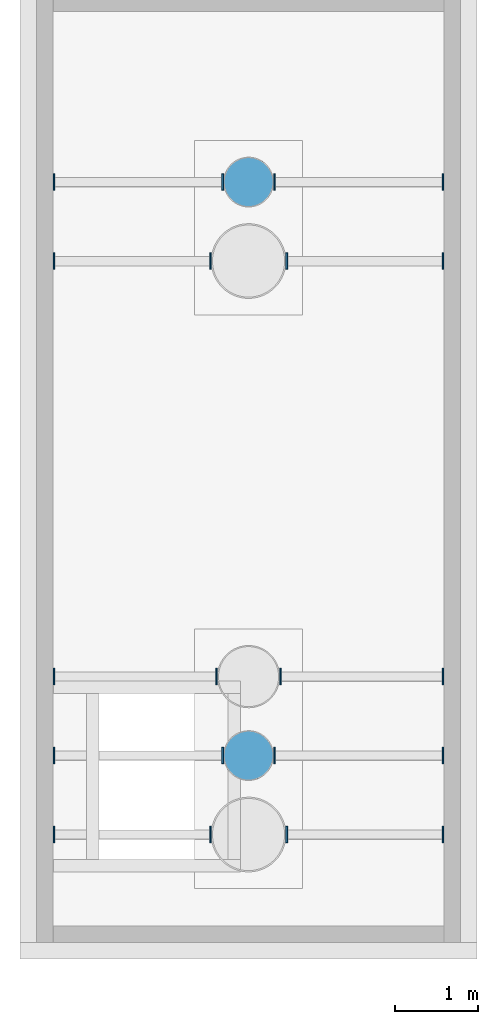
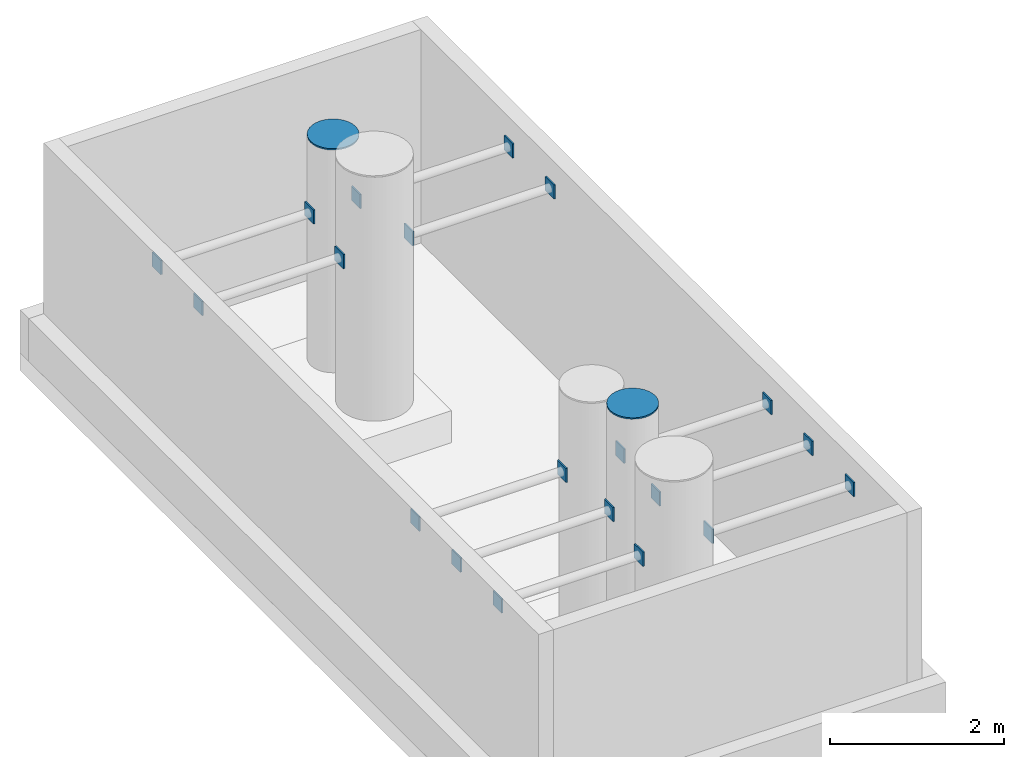
# One storey, part 7 of 7: 22 discrete accessories.
"""IFC4 building model written with IfcOpenShell, lengths in metres."""

from ifc_helpers import new_model, si_unit, direction, frame, origin, origin_2d, place, context, subcontext, project, spatial, polyline, rectangle, outline, extrude, material, type_object, element, save


model = new_model("IFC4")

# Units and contexts
model_context = context("Model", 3, precision=1e-05, world=origin(), true_north=direction((0.0, 1.0)))
body_context = subcontext(model_context, "Body", "Model", "MODEL_VIEW")
ifc_project = project(units=[si_unit("LENGTHUNIT", "METRE"), si_unit("AREAUNIT", "SQUARE_METRE"), si_unit("VOLUMEUNIT", "CUBIC_METRE"), si_unit("PLANEANGLEUNIT", "RADIAN"), si_unit("MASSUNIT", "GRAM", prefix="KILO")], contexts=[model_context])

# Site, building, storey
site_placement = place(None, origin())
site = spatial("IfcSite", under=ifc_project, at=site_placement, CompositionType="ELEMENT")
building_placement = place(site_placement, origin())
building = spatial("IfcBuilding", under=site, at=building_placement, Name="Basin Gate Institute", CompositionType="ELEMENT")
storey_placement = place(building_placement, frame((0.0, 0.0, 78.60009765625)))
storey = spatial("IfcBuildingStorey", under=building, at=storey_placement, Name="UPPER ROOF", CompositionType="ELEMENT", Elevation=78.60009765625)

# Discrete accessories
ifc_material_1 = material(Name="Structural steel SN490", Category="steel")
discrete_accessory_type_1 = type_object("IfcDiscreteAccessoryType", Name="Brace end plate BP200", PredefinedType="BRACKET", material=ifc_material_1)
for number, where, z_axis, x_axis, name in (
    (1, (62.989990234375, 90.10009765625, 2.75), (0.0, 0.0, 1.0), (1.0, 0.0, 0.0), "Exhaust pipe tie TD5 WN 1a end plate 1"),
    (2, (61.110107421875, 90.10009765625, 2.75), (0.0, 0.0, 1.0), (1.0, 0.0, 0.0), "Exhaust pipe tie TD5 WN 1a end plate 2"),
    (3, (63.909912109375, 90.10009765625, 2.75), (0.0, 0.0, 1.0), (1.0, 0.0, 0.0), "Exhaust pipe tie TD5 WN 1b end plate 1"),
    (4, (65.7900390625, 90.10009765625, 2.75), (0.0, 0.0, 1.0), (1.0, 0.0, 0.0), "Exhaust pipe tie TD5 WN 1b end plate 2"),
    (5, (63.139892578125, 91.050048828125, 2.75), (0.0, 0.0, 1.0), (1.0, 0.0, 0.0), "Exhaust pipe tie TD5 WN 2a end plate 1"),
    (6, (61.110107421875, 91.050048828125, 2.75), (0.0, 0.0, 1.0), (1.0, 0.0, 0.0), "Exhaust pipe tie TD5 WN 2a end plate 2"),
    (7, (63.760009765625, 91.050048828125, 2.75), (0.0, 0.0, 1.0), (1.0, 0.0, 0.0), "Exhaust pipe tie TD5 WN 2b end plate 1"),
    (8, (65.7900390625, 91.050048828125, 2.75), (0.0, 0.0, 1.0), (1.0, 0.0, 0.0), "Exhaust pipe tie TD5 WN 2b end plate 2"),
    (9, (63.06494140625, 92.0, 2.75), (0.0, 0.0, 1.0), (1.0, 0.0, 0.0), "Exhaust pipe tie TD5 WN 3a end plate 1"),
    (10, (61.110107421875, 92.0, 2.75), (0.0, 0.0, 1.0), (1.0, 0.0, 0.0), "Exhaust pipe tie TD5 WN 3a end plate 2"),
    (11, (63.8349609375, 92.0, 2.75), (0.0, 0.0, 1.0), (1.0, 0.0, 0.0), "Exhaust pipe tie TD5 WN 3b end plate 1"),
    (12, (65.7900390625, 92.0, 2.75), (0.0, 0.0, 1.0), (1.0, 0.0, 0.0), "Exhaust pipe tie TD5 WN 3b end plate 2"),
    (13, (62.989990234375, 97.0, 2.75), (0.0, 0.0, 1.0), (1.0, 0.0, 0.0), "Exhaust pipe tie TD5 WN 4a end plate 1"),
    (14, (61.110107421875, 97.0, 2.75), (0.0, 0.0, 1.0), (1.0, 0.0, 0.0), "Exhaust pipe tie TD5 WN 4a end plate 2"),
    (15, (63.909912109375, 97.0, 2.75), (0.0, 0.0, 1.0), (1.0, 0.0, 0.0), "Exhaust pipe tie TD5 WN 4b end plate 1"),
    (16, (65.7900390625, 97.0, 2.75), (0.0, 0.0, 1.0), (1.0, 0.0, 0.0), "Exhaust pipe tie TD5 WN 4b end plate 2"),
    (17, (63.139892578125, 97.949951171875, 2.75), (0.0, 0.0, 1.0), (1.0, 0.0, 0.0), "Exhaust pipe tie TD5 WN 5a end plate 1"),
    (18, (61.110107421875, 97.949951171875, 2.75), (0.0, 0.0, 1.0), (1.0, 0.0, 0.0), "Exhaust pipe tie TD5 WN 5a end plate 2"),
    (19, (63.760009765625, 97.949951171875, 2.75), (0.0, 0.0, 1.0), (1.0, 0.0, 0.0), "Exhaust pipe tie TD5 WN 5b end plate 1"),
    (20, (65.7900390625, 97.949951171875, 2.75), (0.0, 0.0, 1.0), (1.0, 0.0, 0.0), "Exhaust pipe tie TD5 WN 5b end plate 2"),
):
    element("IfcDiscreteAccessory", number, at=place(storey_placement, frame(where, z_axis=z_axis, x_axis=x_axis)), inside=storey, type_object=discrete_accessory_type_1, material=ifc_material_1, Name=name, PredefinedType="BRACKET", context=body_context, shape_type="SweptSolid", body=[
        extrude(rectangle(XDim=0.02001953125, YDim=0.199951171875, at=origin_2d()), origin(), (0.0, 0.0, 1.0), 0.199951171875),
    ])
ifc_material_2 = material(Name="Structural steel SN490", Category="steel")
discrete_accessory_type_2 = type_object("IfcDiscreteAccessoryType", Name="Exhaust pipe cap plate PC600", PredefinedType="BRACKET", material=ifc_material_2)
discrete_accessory_1_placement = place(storey_placement, frame((0.0, 0.0, 4.22998046875)))
element("IfcDiscreteAccessory", 21, at=discrete_accessory_1_placement, inside=storey, type_object=discrete_accessory_type_2, material=ifc_material_2, Name="Exhaust pipe EX1 WN 2 cap plate", PredefinedType="BRACKET", context=body_context, shape_type="SweptSolid", body=[
    extrude(outline(polyline([(63.75, 91.050048828125), (63.744140625, 91.1083984375), (63.727294921875, 91.164794921875), (63.699462890625, 91.216796875), (63.662109375, 91.26220703125), (63.61669921875, 91.29931640625), (63.564697265625, 91.3271484375), (63.508544921875, 91.34423828125), (63.449951171875, 91.35009765625), (63.3916015625, 91.34423828125), (63.335205078125, 91.3271484375), (63.283203125, 91.29931640625), (63.23779296875, 91.26220703125), (63.20068359375, 91.216796875), (63.1728515625, 91.164794921875), (63.15576171875, 91.1083984375), (63.14990234375, 91.050048828125), (63.15576171875, 90.991455078125), (63.1728515625, 90.935302734375), (63.20068359375, 90.88330078125), (63.23779296875, 90.837890625), (63.283203125, 90.800537109375), (63.335205078125, 90.772705078125), (63.3916015625, 90.755859375), (63.449951171875, 90.75), (63.508544921875, 90.755859375), (63.564697265625, 90.772705078125), (63.61669921875, 90.800537109375), (63.662109375, 90.837890625), (63.699462890625, 90.88330078125), (63.727294921875, 90.935302734375), (63.744140625, 90.991455078125), (63.75, 91.050048828125)])), origin(), (0.0, 0.0, 1.0), 0.02001953125),
])
discrete_accessory_2_placement = place(storey_placement, frame((0.0, 0.0, 3.829833984375)))
element("IfcDiscreteAccessory", 22, at=discrete_accessory_2_placement, inside=storey, type_object=discrete_accessory_type_2, material=ifc_material_2, Name="Exhaust pipe EX1 WN 5 cap plate", PredefinedType="BRACKET", context=body_context, shape_type="SweptSolid", body=[
    extrude(outline(polyline([(63.75, 97.949951171875), (63.744140625, 98.008544921875), (63.727294921875, 98.064697265625), (63.699462890625, 98.11669921875), (63.662109375, 98.162109375), (63.61669921875, 98.199462890625), (63.564697265625, 98.227294921875), (63.508544921875, 98.244140625), (63.449951171875, 98.25), (63.3916015625, 98.244140625), (63.335205078125, 98.227294921875), (63.283203125, 98.199462890625), (63.23779296875, 98.162109375), (63.20068359375, 98.11669921875), (63.1728515625, 98.064697265625), (63.15576171875, 98.008544921875), (63.14990234375, 97.949951171875), (63.15576171875, 97.8916015625), (63.1728515625, 97.835205078125), (63.20068359375, 97.783203125), (63.23779296875, 97.73779296875), (63.283203125, 97.70068359375), (63.335205078125, 97.6728515625), (63.3916015625, 97.65576171875), (63.449951171875, 97.64990234375), (63.508544921875, 97.65576171875), (63.564697265625, 97.6728515625), (63.61669921875, 97.70068359375), (63.662109375, 97.73779296875), (63.699462890625, 97.783203125), (63.727294921875, 97.835205078125), (63.744140625, 97.8916015625), (63.75, 97.949951171875)])), origin(), (0.0, 0.0, 1.0), 0.02001953125),
])

save(model, "model.ifc")
